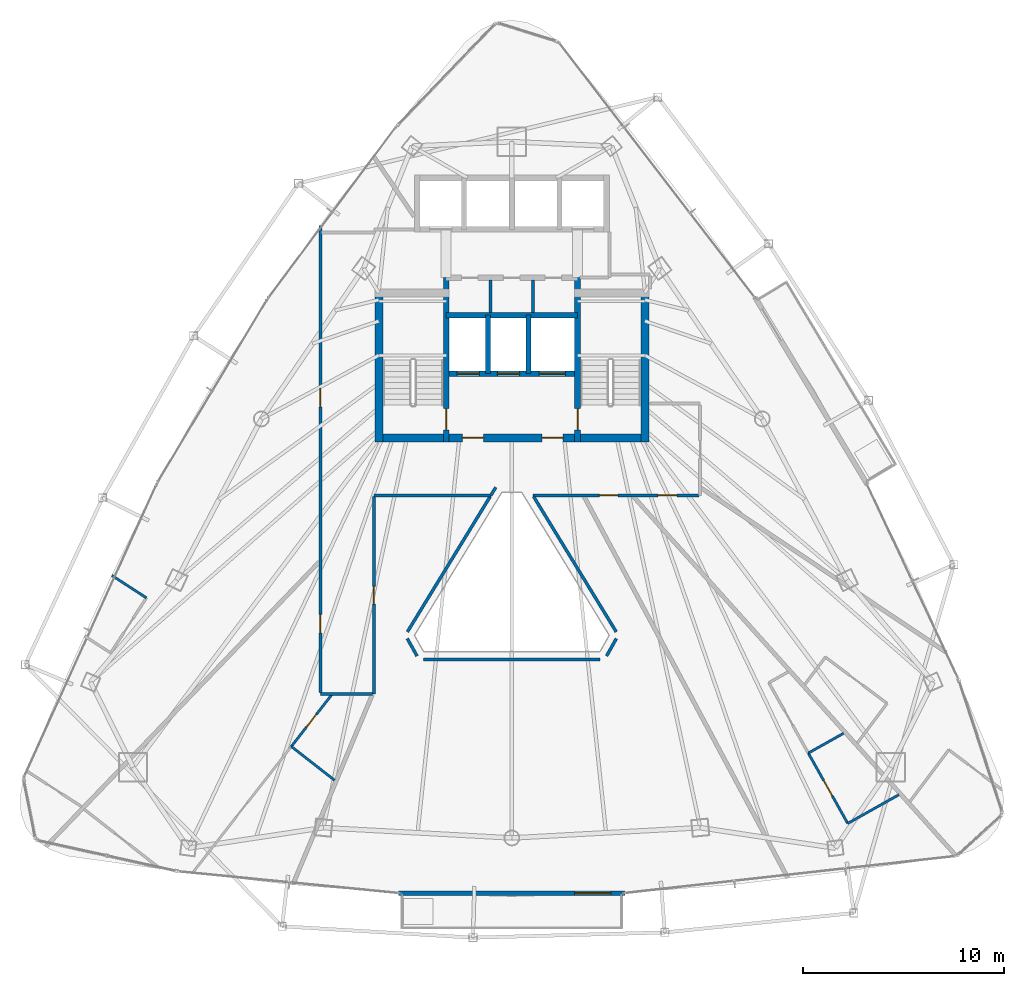
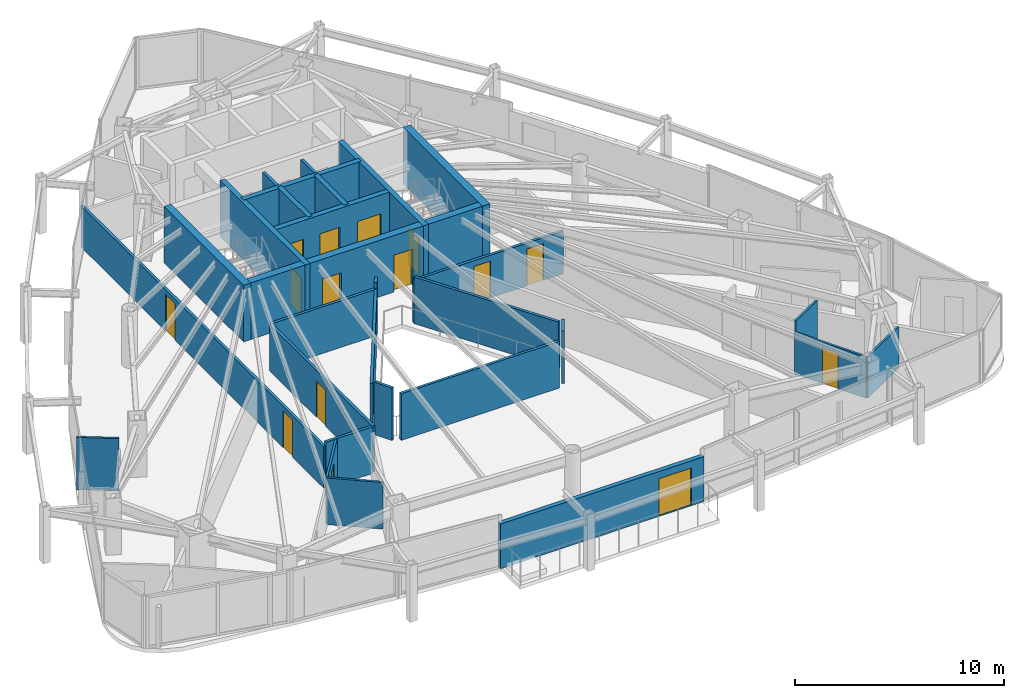
# One storey, part 26 of 30: 29 walls, 15 doors, 15 openings.
"""IFC4 building model written with IfcOpenShell, lengths in metres."""

from ifc_helpers import new_model, si_unit, direction, frame, frame_2d, origin, place, context, subcontext, project, spatial, rectangle, extrude, material, layer, layer_set, type_object, element, fill, save


model = new_model("IFC4")

# Units and contexts
model_context = context("Model", 3, precision=1e-05, world=origin(), true_north=direction((0.0, 1.0)))
body_context = subcontext(model_context, "Body", "Model", "MODEL_VIEW")
ifc_project = project(units=[si_unit("LENGTHUNIT", "METRE"), si_unit("AREAUNIT", "SQUARE_METRE"), si_unit("VOLUMEUNIT", "CUBIC_METRE"), si_unit("PLANEANGLEUNIT", "RADIAN"), si_unit("MASSUNIT", "GRAM", prefix="KILO")], contexts=[model_context])

# Site, building, storey
site_placement = place(None, origin())
site = spatial("IfcSite", under=ifc_project, at=site_placement, CompositionType="ELEMENT")
building_placement = place(site_placement, origin())
building = spatial("IfcBuilding", under=site, at=building_placement, Name="Orvanel Arch Residences", CompositionType="ELEMENT")
storey_placement = place(building_placement, frame((0.0, 0.0, 180.35009765625)))
storey = spatial("IfcBuildingStorey", under=building, at=storey_placement, Name="L51", CompositionType="ELEMENT", Elevation=180.35009765625)

# Wall, opening, door
ifc_material_1 = material(Name="Precast concrete N50 (50 MPa)", Category="concrete")
ifc_layer_1 = layer(ifc_material_1, 0.239990234375)
ifc_layer_set_1 = layer_set([ifc_layer_1], Name="Precast concrete N50 (50 MPa)")
wall_type_1 = type_object("IfcWallType", Name="EW-BAL-240", PredefinedType="SOLIDWALL", material=ifc_layer_set_1)
wall_1_placement = place(storey_placement, frame((27.385986328125, 4.096923828125, 0.0), z_axis=(0.0, 0.0, 1.0), x_axis=(1.0, 0.0, 0.0)))
wall_1 = element("IfcWall", 1, at=wall_1_placement, inside=storey, type_object=wall_type_1, Name="L51 Balcony Threshold Wall Face 2", PredefinedType="SOLIDWALL", context=body_context, shape_type="SweptSolid", body=[
    extrude(rectangle(XDim=11.22802734375, YDim=0.239990234375, at=frame_2d((5.614013671875, 0.0))), origin(), (0.0, 0.0, 1.0), 2.6240234375),
])
opening_1_placement = place(wall_1_placement, frame((8.72998046875, 0.0, 0.0)))
opening_1 = element("IfcOpeningElement", 2, at=opening_1_placement, cuts=wall_1, Name="Opening DB-180", PredefinedType="OPENING", context=body_context, shape_type="SweptSolid", body=[
    extrude(rectangle(XDim=1.800048828125, YDim=2.199951171875, at=frame_2d((0.89990234375, 1.10009765625))), frame((0.0, 0.1298828125, 0.0), z_axis=(0.0, -1.0, 0.0), x_axis=(1.0, 0.0, 0.0)), (0.0, 0.0, 1.0), 0.260009765625),
])
ifc_material_2 = material(Name="Bronze-anodised aluminium AA6063-T6", Category="aluminium")
door_type_1 = type_object("IfcDoorType", Name="DR-BAL-1800", OperationType="NOTDEFINED", PredefinedType="DOOR", material=ifc_material_2)
door_1_placement = place(opening_1_placement, origin())
door_1 = element("IfcDoor", 3, at=door_1_placement, inside=storey, type_object=door_type_1, Name="DR-L51-BAL-F2 L51 Planted Balcony Access Door Face 2", OperationType="SINGLE_SWING_LEFT", OverallHeight=2.199951171875, OverallWidth=1.800048828125, PredefinedType="DOOR", context=body_context, shape_type="SweptSolid", body=[
    extrude(rectangle(XDim=1.800048828125, YDim=2.199951171875, at=frame_2d((0.89990234375, 1.10009765625))), frame((0.0, 0.02490234375, 0.0), z_axis=(0.0, -1.0, 0.0), x_axis=(1.0, 0.0, 0.0)), (0.0, 0.0, 1.0), 0.050048828125),
])
fill(opening_1, door_1)

# Walls
ifc_material_3 = material(Name="Concrete N50 (50 MPa)", Category="concrete")
ifc_layer_2 = layer(ifc_material_3, 0.25)
ifc_layer_set_2 = layer_set([ifc_layer_2], Name="Concrete N50 (50 MPa)")
wall_type_2 = type_object("IfcWallType", Name="SW-CORE-250", PredefinedType="SHEAR", material=ifc_layer_set_2)
for number, where, z_axis, x_axis, name in (
    (4, (31.824951171875, 29.889892578125, 0.0), (0.0, 0.0, 1.0), (0.0, 1.0, 0.0), "L51 Emergency Lift Inter-Shaft Wall F12"),
    (5, (33.824951171875, 29.889892578125, 0.0), (0.0, 0.0, 1.0), (0.0, 1.0, 0.0), "L51 Emergency Lift Inter-Shaft Wall F2G"),
):
    element("IfcWall", number, at=place(storey_placement, frame(where, z_axis=z_axis, x_axis=x_axis)), inside=storey, type_object=wall_type_2, Name=name, PredefinedType="SHEAR", context=body_context, shape_type="SweptSolid", body=[
        extrude(rectangle(XDim=2.900146484375, YDim=0.25, at=frame_2d((1.4501953125, 0.0))), origin(), (0.0, 0.0, 1.0), 3.2998046875),
    ])

# Wall, opening, door
ifc_material_4 = material(Name="Concrete S65 (65 MPa)", Category="concrete")
ifc_layer_3 = layer(ifc_material_4, 0.280029296875)
ifc_layer_set_3 = layer_set([ifc_layer_3], Name="Concrete S65 (65 MPa)")
wall_type_3 = type_object("IfcWallType", Name="SW-CORE-280", PredefinedType="SHEAR", material=ifc_layer_set_3)
wall_2_placement = place(storey_placement, frame((29.739990234375, 26.5, 0.0), z_axis=(0.0, 0.0, 1.0), x_axis=(0.0, 1.0, 0.0)))
wall_2 = element("IfcWall", 6, at=wall_2_placement, inside=storey, type_object=wall_type_3, Name="L51 West Inner Core Spine Shear Wall", PredefinedType="SHEAR", context=body_context, shape_type="SweptSolid", body=[
    extrude(rectangle(XDim=8.14990234375, YDim=0.280029296875, at=frame_2d((4.074951171875, 0.0))), origin(), (0.0, 0.0, 1.0), 3.2998046875),
])
opening_2_placement = place(wall_2_placement, frame((0.60009765625, 0.0, 0.0)))
opening_2 = element("IfcOpeningElement", 7, at=opening_2_placement, cuts=wall_2, Name="Opening DF-120", PredefinedType="OPENING", context=body_context, shape_type="SweptSolid", body=[
    extrude(rectangle(XDim=1.050048828125, YDim=2.14990234375, at=frame_2d((0.52490234375, 1.074951171875))), frame((0.0, 0.14990234375, 0.0), z_axis=(0.0, -1.0, 0.0), x_axis=(1.0, 0.0, 0.0)), (0.0, 0.0, 1.0), 0.300048828125),
])
ifc_material_5 = material(Name="Galvanised steel fire-resisting door assembly", Category="steel")
door_type_2 = type_object("IfcDoorType", Name="DR-FD120-1050", OperationType="NOTDEFINED", PredefinedType="DOOR", material=ifc_material_5)
door_2_placement = place(opening_2_placement, origin())
door_2 = element("IfcDoor", 8, at=door_2_placement, inside=storey, type_object=door_type_2, Name="DR-L51-ST1 L51 Stair 1 Fire Door", OperationType="SINGLE_SWING_LEFT", OverallHeight=2.14990234375, OverallWidth=1.050048828125, PredefinedType="DOOR", context=body_context, shape_type="SweptSolid", body=[
    extrude(rectangle(XDim=1.050048828125, YDim=2.14990234375, at=frame_2d((0.52490234375, 1.074951171875))), frame((0.0, 0.02490234375, 0.0), z_axis=(0.0, -1.0, 0.0), x_axis=(1.0, 0.0, 0.0)), (0.0, 0.0, 1.0), 0.050048828125),
])
fill(opening_2, door_2)

wall_3_placement = place(storey_placement, frame((36.260009765625, 26.5, 0.0), z_axis=(0.0, 0.0, 1.0), x_axis=(0.0, 1.0, 0.0)))
wall_3 = element("IfcWall", 9, at=wall_3_placement, inside=storey, type_object=wall_type_3, Name="L51 East Inner Core Spine Shear Wall", PredefinedType="SHEAR", context=body_context, shape_type="SweptSolid", body=[
    extrude(rectangle(XDim=8.14990234375, YDim=0.280029296875, at=frame_2d((4.074951171875, 0.0))), origin(), (0.0, 0.0, 1.0), 3.2998046875),
])
opening_3_placement = place(wall_3_placement, frame((0.60009765625, 0.0, 0.0)))
opening_3 = element("IfcOpeningElement", 10, at=opening_3_placement, cuts=wall_3, Name="Opening DF-120", PredefinedType="OPENING", context=body_context, shape_type="SweptSolid", body=[
    extrude(rectangle(XDim=1.050048828125, YDim=2.14990234375, at=frame_2d((0.52490234375, 1.074951171875))), frame((0.0, 0.14990234375, 0.0), z_axis=(0.0, -1.0, 0.0), x_axis=(1.0, 0.0, 0.0)), (0.0, 0.0, 1.0), 0.300048828125),
])
door_3_placement = place(opening_3_placement, origin())
door_3 = element("IfcDoor", 11, at=door_3_placement, inside=storey, type_object=door_type_2, Name="DR-L51-ST2 L51 Stair 2 Fire Door", OperationType="SINGLE_SWING_RIGHT", OverallHeight=2.14990234375, OverallWidth=1.050048828125, PredefinedType="DOOR", context=body_context, shape_type="SweptSolid", body=[
    extrude(rectangle(XDim=1.050048828125, YDim=2.14990234375, at=frame_2d((0.52490234375, 1.074951171875))), frame((0.0, 0.02490234375, 0.0), z_axis=(0.0, -1.0, 0.0), x_axis=(1.0, 0.0, 0.0)), (0.0, 0.0, 1.0), 0.050048828125),
])
fill(opening_3, door_3)

# Wall, openings, doors
wall_4_placement = place(storey_placement, frame((36.260009765625, 29.889892578125, 0.0), z_axis=(0.0, 0.0, 1.0), x_axis=(-1.0, 0.0, 0.0)))
wall_4 = element("IfcWall", 12, at=wall_4_placement, inside=storey, type_object=wall_type_3, Name="L51 Emergency Lift Front Core Shear Wall", PredefinedType="SHEAR", context=body_context, shape_type="SweptSolid", body=[
    extrude(rectangle(XDim=6.52001953125, YDim=0.280029296875, at=frame_2d((3.260009765625, 0.0))), origin(), (0.0, 0.0, 1.0), 3.2998046875),
])
opening_4_placement = place(wall_4_placement, frame((4.875, 0.0, 0.0)))
opening_4 = element("IfcOpeningElement", 13, at=opening_4_placement, cuts=wall_4, Name="Opening LD-110", PredefinedType="OPENING", context=body_context, shape_type="SweptSolid", body=[
    extrude(rectangle(XDim=1.10009765625, YDim=2.199951171875, at=frame_2d((0.550048828125, 1.10009765625))), frame((0.0, 0.14990234375, 0.0), z_axis=(0.0, -1.0, 0.0), x_axis=(1.0, 0.0, 0.0)), (0.0, 0.0, 1.0), 0.300048828125),
])
opening_5_placement = place(wall_4_placement, frame((2.875, 0.0, 0.0)))
opening_5 = element("IfcOpeningElement", 14, at=opening_5_placement, cuts=wall_4, Name="Opening LD-110", PredefinedType="OPENING", context=body_context, shape_type="SweptSolid", body=[
    extrude(rectangle(XDim=1.10009765625, YDim=2.199951171875, at=frame_2d((0.550048828125, 1.10009765625))), frame((0.0, 0.14990234375, 0.0), z_axis=(0.0, -1.0, 0.0), x_axis=(1.0, 0.0, 0.0)), (0.0, 0.0, 1.0), 0.300048828125),
])
opening_6_placement = place(wall_4_placement, frame((0.60009765625, 0.0, 0.0)))
opening_6 = element("IfcOpeningElement", 15, at=opening_6_placement, cuts=wall_4, Name="Opening LD-130", PredefinedType="OPENING", context=body_context, shape_type="SweptSolid", body=[
    extrude(rectangle(XDim=1.300048828125, YDim=2.199951171875, at=frame_2d((0.64990234375, 1.10009765625))), frame((0.0, 0.14990234375, 0.0), z_axis=(0.0, -1.0, 0.0), x_axis=(1.0, 0.0, 0.0)), (0.0, 0.0, 1.0), 0.300048828125),
])
door_type_3 = type_object("IfcDoorType", Name="DR-LFT-1100", OperationType="NOTDEFINED", PredefinedType="DOOR", material=ifc_material_5)
door_4_placement = place(opening_4_placement, origin())
door_4 = element("IfcDoor", 16, at=door_4_placement, inside=storey, type_object=door_type_3, Name="LD-F1-L51 L51 Lift F1 Sliding Landing Door", OperationType="DOUBLE_DOOR_SLIDING", OverallHeight=2.199951171875, OverallWidth=1.10009765625, PredefinedType="DOOR", context=body_context, shape_type="SweptSolid", body=[
    extrude(rectangle(XDim=1.10009765625, YDim=2.199951171875, at=frame_2d((0.550048828125, 1.10009765625))), frame((0.0, 0.02490234375, 0.0), z_axis=(0.0, -1.0, 0.0), x_axis=(1.0, 0.0, 0.0)), (0.0, 0.0, 1.0), 0.050048828125),
])
fill(opening_4, door_4)
door_5_placement = place(opening_5_placement, origin())
door_5 = element("IfcDoor", 17, at=door_5_placement, inside=storey, type_object=door_type_3, Name="LD-F2-L51 L51 Lift F2 Sliding Landing Door", OperationType="DOUBLE_DOOR_SLIDING", OverallHeight=2.199951171875, OverallWidth=1.10009765625, PredefinedType="DOOR", context=body_context, shape_type="SweptSolid", body=[
    extrude(rectangle(XDim=1.10009765625, YDim=2.199951171875, at=frame_2d((0.550048828125, 1.10009765625))), frame((0.0, 0.02490234375, 0.0), z_axis=(0.0, -1.0, 0.0), x_axis=(1.0, 0.0, 0.0)), (0.0, 0.0, 1.0), 0.050048828125),
])
fill(opening_5, door_5)
door_type_4 = type_object("IfcDoorType", Name="DR-LFT-1300", OperationType="NOTDEFINED", PredefinedType="DOOR", material=ifc_material_5)
door_6_placement = place(opening_6_placement, origin())
door_6 = element("IfcDoor", 18, at=door_6_placement, inside=storey, type_object=door_type_4, Name="LD-G1-L51 L51 Lift G1 Sliding Landing Door", OperationType="DOUBLE_DOOR_SLIDING", OverallHeight=2.199951171875, OverallWidth=1.300048828125, PredefinedType="DOOR", context=body_context, shape_type="SweptSolid", body=[
    extrude(rectangle(XDim=1.300048828125, YDim=2.199951171875, at=frame_2d((0.64990234375, 1.10009765625))), frame((0.0, 0.02490234375, 0.0), z_axis=(0.0, -1.0, 0.0), x_axis=(1.0, 0.0, 0.0)), (0.0, 0.0, 1.0), 0.050048828125),
])
fill(opening_6, door_6)

# Wall
wall_5_placement = place(storey_placement, frame((29.739990234375, 32.7900390625, 0.0), z_axis=(0.0, 0.0, 1.0), x_axis=(1.0, 0.0, 0.0)))
element("IfcWall", 19, at=wall_5_placement, inside=storey, type_object=wall_type_3, Name="L51 Emergency Lift Back Core Shear Wall", PredefinedType="SHEAR", context=body_context, shape_type="SweptSolid", body=[
    extrude(rectangle(XDim=6.52001953125, YDim=0.280029296875, at=frame_2d((3.260009765625, 0.0))), origin(), (0.0, 0.0, 1.0), 3.2998046875),
])

# Wall, openings, doors
ifc_layer_4 = layer(ifc_material_4, 0.39990234375)
ifc_layer_set_4 = layer_set([ifc_layer_4], Name="Concrete S65 (65 MPa)")
wall_type_4 = type_object("IfcWallType", Name="SW-CORE-400", PredefinedType="SHEAR", material=ifc_layer_set_4)
wall_6_placement = place(storey_placement, frame((26.199951171875, 26.699951171875, 0.0), z_axis=(0.0, 0.0, 1.0), x_axis=(1.0, 0.0, 0.0)))
wall_6 = element("IfcWall", 20, at=wall_6_placement, inside=storey, type_object=wall_type_4, Name="L51 South Core Shear Wall", PredefinedType="SHEAR", context=body_context, shape_type="SweptSolid", body=[
    extrude(rectangle(XDim=13.60009765625, YDim=0.39990234375, at=frame_2d((6.800048828125, 0.0))), origin(), (0.0, 0.0, 1.0), 3.2998046875),
])
opening_7_placement = place(wall_6_placement, frame((4.35009765625, 0.0, 0.0)))
opening_7 = element("IfcOpeningElement", 21, at=opening_7_placement, cuts=wall_6, Name="Opening DF-060", PredefinedType="OPENING", context=body_context, shape_type="SweptSolid", body=[
    extrude(rectangle(XDim=1.050048828125, YDim=2.14990234375, at=frame_2d((0.52490234375, 1.074951171875))), frame((0.0, 0.2099609375, 0.0), z_axis=(0.0, -1.0, 0.0), x_axis=(1.0, 0.0, 0.0)), (0.0, 0.0, 1.0), 0.419921875),
])
opening_8_placement = place(wall_6_placement, frame((8.300048828125, 0.0, 0.0)))
opening_8 = element("IfcOpeningElement", 22, at=opening_8_placement, cuts=wall_6, Name="Opening DF-060", PredefinedType="OPENING", context=body_context, shape_type="SweptSolid", body=[
    extrude(rectangle(XDim=1.050048828125, YDim=2.14990234375, at=frame_2d((0.52490234375, 1.074951171875))), frame((0.0, 0.2099609375, 0.0), z_axis=(0.0, -1.0, 0.0), x_axis=(1.0, 0.0, 0.0)), (0.0, 0.0, 1.0), 0.419921875),
])
door_type_5 = type_object("IfcDoorType", Name="DR-FD60-1050", OperationType="NOTDEFINED", PredefinedType="DOOR", material=ifc_material_5)
door_7_placement = place(opening_7_placement, origin())
door_7 = element("IfcDoor", 23, at=door_7_placement, inside=storey, type_object=door_type_5, Name="DR-L51-FFL-W L51 West Smoke Lobby Door", OperationType="SINGLE_SWING_LEFT", OverallHeight=2.14990234375, OverallWidth=1.050048828125, PredefinedType="DOOR", context=body_context, shape_type="SweptSolid", body=[
    extrude(rectangle(XDim=1.050048828125, YDim=2.14990234375, at=frame_2d((0.52490234375, 1.074951171875))), frame((0.0, 0.02490234375, 0.0), z_axis=(0.0, -1.0, 0.0), x_axis=(1.0, 0.0, 0.0)), (0.0, 0.0, 1.0), 0.050048828125),
])
fill(opening_7, door_7)
door_8_placement = place(opening_8_placement, origin())
door_8 = element("IfcDoor", 24, at=door_8_placement, inside=storey, type_object=door_type_5, Name="DR-L51-FFL-E L51 East Smoke Lobby Door", OperationType="SINGLE_SWING_RIGHT", OverallHeight=2.14990234375, OverallWidth=1.050048828125, PredefinedType="DOOR", context=body_context, shape_type="SweptSolid", body=[
    extrude(rectangle(XDim=1.050048828125, YDim=2.14990234375, at=frame_2d((0.52490234375, 1.074951171875))), frame((0.0, 0.02490234375, 0.0), z_axis=(0.0, -1.0, 0.0), x_axis=(1.0, 0.0, 0.0)), (0.0, 0.0, 1.0), 0.050048828125),
])
fill(opening_8, door_8)

# Walls
for number, where, z_axis, x_axis, name in (
    (25, (26.39990234375, 26.5, 0.0), (0.0, 0.0, 1.0), (0.0, 1.0, 0.0), "L51 West Stair Shear Wall"),
    (26, (39.60009765625, 26.5, 0.0), (0.0, 0.0, 1.0), (0.0, 1.0, 0.0), "L51 East Stair Shear Wall"),
):
    element("IfcWall", number, at=place(storey_placement, frame(where, z_axis=z_axis, x_axis=x_axis)), inside=storey, type_object=wall_type_4, Name=name, PredefinedType="SHEAR", context=body_context, shape_type="SweptSolid", body=[
        extrude(rectangle(XDim=7.60009765625, YDim=0.39990234375, at=frame_2d((3.800048828125, 0.0))), origin(), (0.0, 0.0, 1.0), 3.2998046875),
    ])
ifc_material_6 = material(Name="Fire-rated plasterboard lined steel stud partition", Category="steel")
ifc_layer_5 = layer(ifc_material_6, 0.14990234375)
ifc_layer_set_5 = layer_set([ifc_layer_5], Name="Fire-rated plasterboard lined steel stud partition")
wall_type_5 = type_object("IfcWallType", Name="W-COR-150", PredefinedType="PARTITIONING", material=ifc_layer_set_5)
wall_7_placement = place(storey_placement, frame((32.2060546875, 24.2451171875, 0.0), z_axis=(0.0, 0.0, 1.0), x_axis=(-0.531785592992, -0.84687902506, 0.0)))
element("IfcWall", 27, at=wall_7_placement, inside=storey, type_object=wall_type_5, Name="L51 Corridor Fire-Rated Partition", PredefinedType="PARTITIONING", context=body_context, shape_type="SweptSolid", body=[
    extrude(rectangle(XDim=0.466552734375, YDim=0.14990234375, at=frame_2d((0.2333984375, 0.0))), origin(), (0.0, 0.0, 1.0), 3.059814453125),
])
wall_8_placement = place(storey_placement, frame((31.9580078125, 23.85009765625, 0.0), z_axis=(0.0, 0.0, 1.0), x_axis=(-1.0, 0.0, 0.0)))
element("IfcWall", 28, at=wall_8_placement, inside=storey, type_object=wall_type_5, Name="L51 Corridor Fire-Rated Partition", PredefinedType="PARTITIONING", context=body_context, shape_type="SweptSolid", body=[
    extrude(rectangle(XDim=5.80810546875, YDim=0.14990234375, at=frame_2d((2.904052734375, 0.0))), origin(), (0.0, 0.0, 1.0), 2.720947265625),
])

# Wall, opening, door
wall_9_placement = place(storey_placement, frame((26.14990234375, 23.7900390625, 0.0), z_axis=(0.0, 0.0, 1.0), x_axis=(0.0, -1.0, 0.0)))
wall_9 = element("IfcWall", 29, at=wall_9_placement, inside=storey, type_object=wall_type_5, Name="L51 Corridor Fire-Rated Partition", PredefinedType="PARTITIONING", context=body_context, shape_type="SweptSolid", body=[
    extrude(rectangle(XDim=9.7900390625, YDim=0.14990234375, at=frame_2d((4.89501953125, 0.0))), origin(), (0.0, 0.0, 1.0), 2.720947265625),
])
opening_9_placement = place(wall_9_placement, frame((4.455078125, 0.0, 0.0)))
opening_9 = element("IfcOpeningElement", 30, at=opening_9_placement, cuts=wall_9, Name="Opening DI-088", PredefinedType="OPENING", context=body_context, shape_type="SweptSolid", body=[
    extrude(rectangle(XDim=0.8798828125, YDim=2.10009765625, at=frame_2d((0.43994140625, 1.050048828125))), frame((0.0, 0.0849609375, 0.0), z_axis=(0.0, -1.0, 0.0), x_axis=(1.0, 0.0, 0.0)), (0.0, 0.0, 1.0), 0.169921875),
])
ifc_material_7 = material(Name="Solid-core European oak veneer fire door leaf", Category="wood")
door_type_6 = type_object("IfcDoorType", Name="DR-INT-880", OperationType="NOTDEFINED", PredefinedType="DOOR", material=ifc_material_7)
door_9_placement = place(opening_9_placement, origin())
door_9 = element("IfcDoor", 31, at=door_9_placement, inside=storey, type_object=door_type_6, Name="DR-L51-RCP51-1 L51 Concierge Mail Reception 1 Door", OperationType="SINGLE_SWING_LEFT", OverallHeight=2.10009765625, OverallWidth=0.8798828125, PredefinedType="DOOR", context=body_context, shape_type="SweptSolid", body=[
    extrude(rectangle(XDim=0.8798828125, YDim=2.10009765625, at=frame_2d((0.43994140625, 1.050048828125))), frame((0.0, 0.02490234375, 0.0), z_axis=(0.0, -1.0, 0.0), x_axis=(1.0, 0.0, 0.0)), (0.0, 0.0, 1.0), 0.050048828125),
])
fill(opening_9, door_9)

# Wall
wall_10_placement = place(storey_placement, frame((26.090087890625, 14.0, 0.0), z_axis=(0.0, 0.0, 1.0), x_axis=(-1.0, 0.0, 0.0)))
element("IfcWall", 32, at=wall_10_placement, inside=storey, type_object=wall_type_5, Name="L51 Corridor Fire-Rated Partition", PredefinedType="PARTITIONING", context=body_context, shape_type="SweptSolid", body=[
    extrude(rectangle(XDim=2.590087890625, YDim=0.14990234375, at=frame_2d((1.294921875, 0.0))), origin(), (0.0, 0.0, 1.0), 2.720947265625),
])

# Wall, openings, doors
wall_11_placement = place(storey_placement, frame((23.5, 14.06005859375, 0.0), z_axis=(0.0, 0.0, 1.0), x_axis=(0.0, 1.0, 0.0)))
wall_11 = element("IfcWall", 33, at=wall_11_placement, inside=storey, type_object=wall_type_5, Name="L51 Corridor Fire-Rated Partition", PredefinedType="PARTITIONING", context=body_context, shape_type="SweptSolid", body=[
    extrude(rectangle(XDim=23.180908203125, YDim=0.14990234375, at=frame_2d((11.59033203125, 0.0))), origin(), (0.0, 0.0, 1.0), 2.412841796875),
])
opening_10_placement = place(wall_11_placement, frame((14.18408203125, 0.0, 0.0)))
opening_10 = element("IfcOpeningElement", 34, at=opening_10_placement, cuts=wall_11, Name="Opening DA-092", PredefinedType="OPENING", context=body_context, shape_type="SweptSolid", body=[
    extrude(rectangle(XDim=0.919921875, YDim=2.14990234375, at=frame_2d((0.4599609375, 1.074951171875))), frame((0.0, 0.0849609375, 0.0), z_axis=(0.0, -1.0, 0.0), x_axis=(1.0, 0.0, 0.0)), (0.0, 0.0, 1.0), 0.169921875),
])
opening_11_placement = place(wall_11_placement, frame((2.9619140625, 0.0, 0.0)))
opening_11 = element("IfcOpeningElement", 35, at=opening_11_placement, cuts=wall_11, Name="Opening DA-092", PredefinedType="OPENING", context=body_context, shape_type="SweptSolid", body=[
    extrude(rectangle(XDim=0.919921875, YDim=2.14990234375, at=frame_2d((0.4599609375, 1.074951171875))), frame((0.0, 0.0849609375, 0.0), z_axis=(0.0, -1.0, 0.0), x_axis=(1.0, 0.0, 0.0)), (0.0, 0.0, 1.0), 0.169921875),
])
door_type_7 = type_object("IfcDoorType", Name="DR-APT-920", OperationType="NOTDEFINED", PredefinedType="DOOR", material=ifc_material_7)
door_10_placement = place(opening_10_placement, origin())
door_10 = element("IfcDoor", 36, at=door_10_placement, inside=storey, type_object=door_type_7, Name="DR-L51-A-ENT L51 Studio A Entrance Door", OperationType="SINGLE_SWING_RIGHT", OverallHeight=2.14990234375, OverallWidth=0.919921875, PredefinedType="DOOR", context=body_context, shape_type="SweptSolid", body=[
    extrude(rectangle(XDim=0.919921875, YDim=2.14990234375, at=frame_2d((0.4599609375, 1.074951171875))), frame((0.0, 0.02490234375, 0.0), z_axis=(0.0, -1.0, 0.0), x_axis=(1.0, 0.0, 0.0)), (0.0, 0.0, 1.0), 0.050048828125),
])
fill(opening_10, door_10)
door_11_placement = place(opening_11_placement, origin())
door_11 = element("IfcDoor", 37, at=door_11_placement, inside=storey, type_object=door_type_7, Name="DR-L51-B-ENT L51 Flat B Entrance Door", OperationType="SINGLE_SWING_LEFT", OverallHeight=2.14990234375, OverallWidth=0.919921875, PredefinedType="DOOR", context=body_context, shape_type="SweptSolid", body=[
    extrude(rectangle(XDim=0.919921875, YDim=2.14990234375, at=frame_2d((0.4599609375, 1.074951171875))), frame((0.0, 0.02490234375, 0.0), z_axis=(0.0, -1.0, 0.0), x_axis=(1.0, 0.0, 0.0)), (0.0, 0.0, 1.0), 0.050048828125),
])
fill(opening_11, door_11)

wall_12_placement = place(storey_placement, frame((42.2900390625, 23.85009765625, 0.0), z_axis=(0.0, 0.0, 1.0), x_axis=(-1.0, 0.0, 0.0)))
wall_12 = element("IfcWall", 38, at=wall_12_placement, inside=storey, type_object=wall_type_5, Name="L51 Corridor Fire-Rated Partition", PredefinedType="PARTITIONING", context=body_context, shape_type="SweptSolid", body=[
    extrude(rectangle(XDim=8.248046875, YDim=0.14990234375, at=frame_2d((4.1240234375, 0.0))), origin(), (0.0, 0.0, 1.0), 2.491943359375),
])
opening_12_placement = place(wall_12_placement, frame((1.10302734375, 0.0, 0.0)))
opening_12 = element("IfcOpeningElement", 39, at=opening_12_placement, cuts=wall_12, Name="Opening DA-092", PredefinedType="OPENING", context=body_context, shape_type="SweptSolid", body=[
    extrude(rectangle(XDim=0.919921875, YDim=2.14990234375, at=frame_2d((0.4599609375, 1.074951171875))), frame((0.0, 0.0849609375, 0.0), z_axis=(0.0, -1.0, 0.0), x_axis=(1.0, 0.0, 0.0)), (0.0, 0.0, 1.0), 0.169921875),
])
opening_13_placement = place(wall_12_placement, frame((4.029052734375, 0.0, 0.0)))
opening_13 = element("IfcOpeningElement", 40, at=opening_13_placement, cuts=wall_12, Name="Opening DA-092", PredefinedType="OPENING", context=body_context, shape_type="SweptSolid", body=[
    extrude(rectangle(XDim=0.919921875, YDim=2.14990234375, at=frame_2d((0.4599609375, 1.074951171875))), frame((0.0, 0.0849609375, 0.0), z_axis=(0.0, -1.0, 0.0), x_axis=(1.0, 0.0, 0.0)), (0.0, 0.0, 1.0), 0.169921875),
])
door_12_placement = place(opening_12_placement, origin())
door_12 = element("IfcDoor", 41, at=door_12_placement, inside=storey, type_object=door_type_7, Name="DR-L51-C-ENT L51 Studio C Entrance Door", OperationType="SINGLE_SWING_RIGHT", OverallHeight=2.14990234375, OverallWidth=0.919921875, PredefinedType="DOOR", context=body_context, shape_type="SweptSolid", body=[
    extrude(rectangle(XDim=0.919921875, YDim=2.14990234375, at=frame_2d((0.4599609375, 1.074951171875))), frame((0.0, 0.02490234375, 0.0), z_axis=(0.0, -1.0, 0.0), x_axis=(1.0, 0.0, 0.0)), (0.0, 0.0, 1.0), 0.050048828125),
])
fill(opening_12, door_12)
door_13_placement = place(opening_13_placement, origin())
door_13 = element("IfcDoor", 42, at=door_13_placement, inside=storey, type_object=door_type_7, Name="DR-L51-D-ENT L51 Studio D Entrance Door", OperationType="SINGLE_SWING_LEFT", OverallHeight=2.14990234375, OverallWidth=0.919921875, PredefinedType="DOOR", context=body_context, shape_type="SweptSolid", body=[
    extrude(rectangle(XDim=0.919921875, YDim=2.14990234375, at=frame_2d((0.4599609375, 1.074951171875))), frame((0.0, 0.02490234375, 0.0), z_axis=(0.0, -1.0, 0.0), x_axis=(1.0, 0.0, 0.0)), (0.0, 0.0, 1.0), 0.050048828125),
])
fill(opening_13, door_13)

# Walls
wall_13_placement = place(storey_placement, frame((34.0791015625, 23.7900390625, 0.0), z_axis=(0.0, 0.0, 1.0), x_axis=(0.521278062647, -0.853386888465, 0.0)))
element("IfcWall", 43, at=wall_13_placement, inside=storey, type_object=wall_type_5, Name="L51 Atrium Overlook Glazed Partition", PredefinedType="PARTITIONING", context=body_context, shape_type="SweptSolid", body=[
    extrude(rectangle(XDim=7.86865234375, YDim=0.14990234375, at=frame_2d((3.934326171875, 0.0))), origin(), (0.0, 0.0, 1.0), 2.720947265625),
])
wall_14_placement = place(storey_placement, frame((38.18798828125, 16.739013671875, 0.0), z_axis=(0.0, 0.0, 1.0), x_axis=(-0.489479004575, -0.872015082485, 0.0)))
element("IfcWall", 44, at=wall_14_placement, inside=storey, type_object=wall_type_5, Name="L51 Atrium Overlook Glazed Partition", PredefinedType="PARTITIONING", context=body_context, shape_type="SweptSolid", body=[
    extrude(rectangle(XDim=0.9931640625, YDim=0.14990234375, at=frame_2d((0.49658203125, 0.0))), origin(), (0.0, 0.0, 1.0), 3.059814453125),
])
wall_15_placement = place(storey_placement, frame((37.373046875, 15.700927734375, 0.0), z_axis=(0.0, 0.0, 1.0), x_axis=(-1.0, 0.0, 0.0)))
element("IfcWall", 45, at=wall_15_placement, inside=storey, type_object=wall_type_5, Name="L51 Atrium Overlook Glazed Partition", PredefinedType="PARTITIONING", context=body_context, shape_type="SweptSolid", body=[
    extrude(rectangle(XDim=8.74609375, YDim=0.14990234375, at=frame_2d((4.373046875, 0.0))), origin(), (0.0, 0.0, 1.0), 2.720947265625),
])
wall_16_placement = place(storey_placement, frame((28.298095703125, 15.873046875, 0.0), z_axis=(0.0, 0.0, 1.0), x_axis=(-0.489479004575, 0.872015082485, 0.0)))
element("IfcWall", 46, at=wall_16_placement, inside=storey, type_object=wall_type_5, Name="L51 Atrium Overlook Glazed Partition", PredefinedType="PARTITIONING", context=body_context, shape_type="SweptSolid", body=[
    extrude(rectangle(XDim=0.9931640625, YDim=0.14990234375, at=frame_2d((0.49658203125, 0.0))), origin(), (0.0, 0.0, 1.0), 3.059814453125),
])
wall_17_placement = place(storey_placement, frame((27.819091796875, 17.074951171875, 0.0), z_axis=(0.0, 0.0, 1.0), x_axis=(0.52184261318, 0.853041785066, 0.0)))
element("IfcWall", 47, at=wall_17_placement, inside=storey, type_object=wall_type_5, Name="L51 Atrium Overlook Glazed Partition", PredefinedType="PARTITIONING", context=body_context, shape_type="SweptSolid", body=[
    extrude(rectangle(XDim=7.871826171875, YDim=0.14990234375, at=frame_2d((3.93603515625, 0.0))), origin(), (0.0, 0.0, 1.0), 2.720947265625),
])
ifc_layer_6 = layer(ifc_material_6, 0.14990234375)
ifc_layer_set_6 = layer_set([ifc_layer_6], Name="Fire-rated plasterboard lined steel stud partition")
wall_type_6 = type_object("IfcWallType", Name="W-ST-150", PredefinedType="PARTITIONING", material=ifc_layer_set_6)
for number, where, z_axis, x_axis, name in (
    (48, (31.949951171875, 32.9150390625, 0.0), (0.0, 0.0, 1.0), (0.0, 1.0, 0.0), "L51 Core Service Partition 1"),
    (49, (34.050048828125, 32.9150390625, 0.0), (0.0, 0.0, 1.0), (0.0, 1.0, 0.0), "L51 Core Service Partition 2"),
):
    element("IfcWall", number, at=place(storey_placement, frame(where, z_axis=z_axis, x_axis=x_axis)), inside=storey, type_object=wall_type_6, Name=name, PredefinedType="PARTITIONING", context=body_context, shape_type="SweptSolid", body=[
        extrude(rectangle(XDim=1.60986328125, YDim=0.14990234375, at=frame_2d((0.804931640625, 0.0))), origin(), (0.0, 0.0, 1.0), 3.059814453125),
    ])
ifc_material_8 = material(Name="Acoustic plasterboard lined twin-stud partition", Category="gypsum")
ifc_layer_7 = layer(ifc_material_8, 0.1201171875)
ifc_layer_set_7 = layer_set([ifc_layer_7], Name="Acoustic plasterboard lined twin-stud partition")
wall_type_7 = type_object("IfcWallType", Name="W-WET-120", PredefinedType="PARTITIONING", material=ifc_layer_set_7)
wall_18_placement = place(storey_placement, frame((14.864990234375, 18.760009765625, 0.0), z_axis=(0.0, 0.0, 1.0), x_axis=(-0.838903880254, 0.544279596986, 0.0)))
element("IfcWall", 50, at=wall_18_placement, inside=storey, type_object=wall_type_7, Name="L51 Studio A Bathroom Partition", PredefinedType="PARTITIONING", context=body_context, shape_type="SweptSolid", body=[
    extrude(rectangle(XDim=2.046875, YDim=0.1201171875, at=frame_2d((1.0234375, 0.0))), origin(), (0.0, 0.0, 1.0), 3.059814453125),
])

# Wall, opening, door
wall_19_placement = place(storey_placement, frame((24.053955078125, 13.93994140625, 0.0), z_axis=(0.0, 0.0, 1.0), x_axis=(-0.615841255229, -0.787870261121, 0.0)))
wall_19 = element("IfcWall", 51, at=wall_19_placement, inside=storey, type_object=wall_type_7, Name="L51 Flat B Bathroom Partition", PredefinedType="PARTITIONING", context=body_context, shape_type="SweptSolid", body=[
    extrude(rectangle(XDim=3.242919921875, YDim=0.1201171875, at=frame_2d((1.62158203125, 0.0))), origin(), (0.0, 0.0, 1.0), 2.720947265625),
])
opening_14_placement = place(wall_19_placement, frame((1.2109375, 0.0, 0.0)))
opening_14 = element("IfcOpeningElement", 52, at=opening_14_placement, cuts=wall_19, Name="Opening DW-082", PredefinedType="OPENING", context=body_context, shape_type="SweptSolid", body=[
    extrude(rectangle(XDim=0.820068359375, YDim=2.10009765625, at=frame_2d((0.41015625, 1.050048828125))), frame((0.0, 0.070068359375, 0.0), z_axis=(0.0, -1.0, 0.0), x_axis=(1.0, 0.0, 0.0)), (0.0, 0.0, 1.0), 0.14013671875),
])
door_type_8 = type_object("IfcDoorType", Name="DR-WET-820", OperationType="NOTDEFINED", PredefinedType="DOOR", material=ifc_material_7)
door_14_placement = place(opening_14_placement, origin())
door_14 = element("IfcDoor", 53, at=door_14_placement, inside=storey, type_object=door_type_8, Name="DR-L51-B-BATH L51 Flat B Bathroom Door", OperationType="SINGLE_SWING_RIGHT", OverallHeight=2.10009765625, OverallWidth=0.820068359375, PredefinedType="DOOR", context=body_context, shape_type="SweptSolid", body=[
    extrude(rectangle(XDim=0.820068359375, YDim=2.10009765625, at=frame_2d((0.41015625, 1.050048828125))), frame((0.0, 0.02490234375, 0.0), z_axis=(0.0, -1.0, 0.0), x_axis=(1.0, 0.0, 0.0)), (0.0, 0.0, 1.0), 0.050048828125),
])
fill(opening_14, door_14)

# Wall
wall_20_placement = place(storey_placement, frame((24.205078125, 9.70703125, 0.0), z_axis=(0.0, 0.0, 1.0), x_axis=(-0.788077327334, 0.615576255343, 0.0)))
element("IfcWall", 54, at=wall_20_placement, inside=storey, type_object=wall_type_7, Name="L51 Flat B Bathroom Partition", PredefinedType="PARTITIONING", context=body_context, shape_type="SweptSolid", body=[
    extrude(rectangle(XDim=2.725830078125, YDim=0.1201171875, at=frame_2d((1.36279296875, 0.0))), origin(), (0.0, 0.0, 1.0), 2.720947265625),
])

# Wall, opening, door
wall_21_placement = place(storey_placement, frame((47.714111328125, 11.055908203125, 0.0), z_axis=(0.0, 0.0, 1.0), x_axis=(0.489058521283, -0.87225097464, 0.0)))
wall_21 = element("IfcWall", 55, at=wall_21_placement, inside=storey, type_object=wall_type_7, Name="L51 Studio D Internal Partition", PredefinedType="PARTITIONING", context=body_context, shape_type="SweptSolid", body=[
    extrude(rectangle(XDim=4.001220703125, YDim=0.1201171875, at=frame_2d((2.00048828125, 0.0))), origin(), (0.0, 0.0, 1.0), 2.412841796875),
])
opening_15_placement = place(wall_21_placement, frame((1.56103515625, 0.0, 0.0)))
opening_15 = element("IfcOpeningElement", 56, at=opening_15_placement, cuts=wall_21, Name="Opening DI-088", PredefinedType="OPENING", context=body_context, shape_type="SweptSolid", body=[
    extrude(rectangle(XDim=0.8798828125, YDim=2.10009765625, at=frame_2d((0.43994140625, 1.050048828125))), frame((0.0, 0.070068359375, 0.0), z_axis=(0.0, -1.0, 0.0), x_axis=(1.0, 0.0, 0.0)), (0.0, 0.0, 1.0), 0.14013671875),
])
door_15_placement = place(opening_15_placement, origin())
door_15 = element("IfcDoor", 57, at=door_15_placement, inside=storey, type_object=door_type_6, Name="DR-L51-D-KIT L51 Studio D Kitchenette Door", OperationType="SINGLE_SWING_LEFT", OverallHeight=2.10009765625, OverallWidth=0.8798828125, PredefinedType="DOOR", context=body_context, shape_type="SweptSolid", body=[
    extrude(rectangle(XDim=0.8798828125, YDim=2.10009765625, at=frame_2d((0.43994140625, 1.050048828125))), frame((0.0, 0.02490234375, 0.0), z_axis=(0.0, -1.0, 0.0), x_axis=(1.0, 0.0, 0.0)), (0.0, 0.0, 1.0), 0.050048828125),
])
fill(opening_15, door_15)

# Walls
wall_22_placement = place(storey_placement, frame((49.6708984375, 7.56591796875, 0.0), z_axis=(0.0, 0.0, 1.0), x_axis=(0.872184059235, 0.489177847838, 0.0)))
element("IfcWall", 58, at=wall_22_placement, inside=storey, type_object=wall_type_7, Name="L51 Studio D Internal Partition", PredefinedType="PARTITIONING", context=body_context, shape_type="SweptSolid", body=[
    extrude(rectangle(XDim=2.9111328125, YDim=0.1201171875, at=frame_2d((1.45556640625, 0.0))), origin(), (0.0, 0.0, 1.0), 2.412841796875),
])
wall_23_placement = place(storey_placement, frame((49.468994140625, 12.041015625, 0.0), z_axis=(0.0, 0.0, 1.0), x_axis=(-0.872002863311, -0.489500772602, 0.0)))
element("IfcWall", 59, at=wall_23_placement, inside=storey, type_object=wall_type_7, Name="L51 Studio D Bathroom Partition", PredefinedType="PARTITIONING", context=body_context, shape_type="SweptSolid", body=[
    extrude(rectangle(XDim=2.012451171875, YDim=0.1201171875, at=frame_2d((1.00634765625, 0.0))), origin(), (0.0, 0.0, 1.0), 3.059814453125),
])

save(model, "model.ifc")
